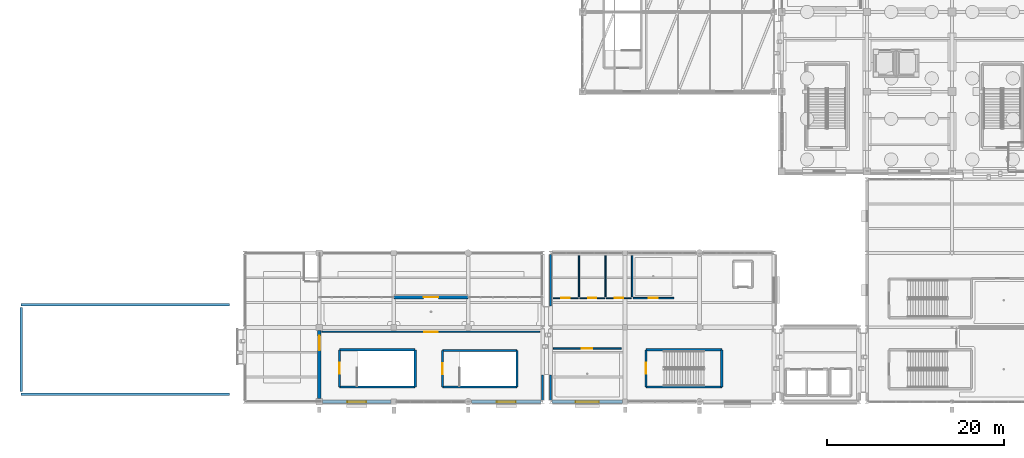
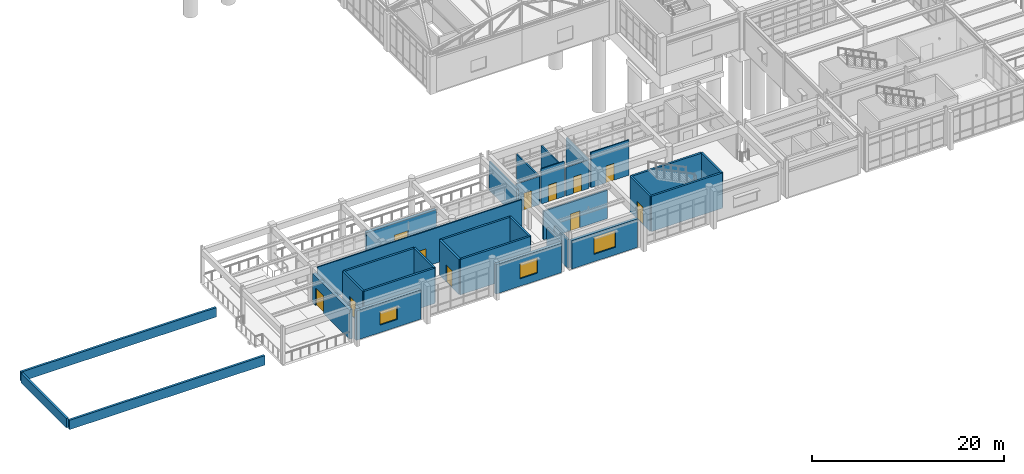
# One storey, part 110 of 139: 32 walls, 11 doors, 3 windows, 14 openings.
"""IFC4 building model written with IfcOpenShell, lengths in metres."""

from ifc_helpers import new_model, si_unit, direction, frame, frame_2d, origin, place, context, subcontext, project, spatial, rectangle, extrude, material, layer, layer_set, type_object, element, fill, save


model = new_model("IFC4")

# Units and contexts
model_context = context("Model", 3, precision=1e-05, world=origin(), true_north=direction((0.0, 1.0)))
body_context = subcontext(model_context, "Body", "Model", "MODEL_VIEW")
ifc_project = project(units=[si_unit("LENGTHUNIT", "METRE"), si_unit("AREAUNIT", "SQUARE_METRE"), si_unit("VOLUMEUNIT", "CUBIC_METRE"), si_unit("PLANEANGLEUNIT", "RADIAN"), si_unit("MASSUNIT", "GRAM", prefix="KILO")], contexts=[model_context])

# Site, building, storey
site_placement = place(None, origin())
site = spatial("IfcSite", under=ifc_project, at=site_placement, CompositionType="ELEMENT")
building_placement = place(site_placement, origin())
building = spatial("IfcBuilding", under=site, at=building_placement, Name="Canglan Escarpment Cableway Terminal", CompositionType="ELEMENT")
storey_placement = place(building_placement, frame((0.0, 0.0, 14.39990234375)))
storey = spatial("IfcBuildingStorey", under=building, at=storey_placement, Name="L03", CompositionType="ELEMENT", Elevation=14.39990234375)

# Walls
ifc_material_1 = material(Name="Concrete C40", Category="concrete")
ifc_layer_1 = layer(ifc_material_1, 0.239990234375, Name="Concrete C40")
ifc_layer_set_1 = layer_set([ifc_layer_1], Name="Concrete C40")
wall_type_1 = type_object("IfcWallType", Name="WL-CORE-SHEAR-240", PredefinedType="SHEAR", material=ifc_layer_set_1)
wall_1_placement = place(storey_placement, frame((87.679931640625, 9.679931640625, 0.0), z_axis=(0.0, 0.0, 1.0), x_axis=(1.0, 0.0, 0.0)))
element("IfcWall", 1, at=wall_1_placement, inside=storey, type_object=wall_type_1, Name="Protected stair core wall ST-06 (L03)", PredefinedType="SHEAR", context=body_context, shape_type="SweptSolid", body=[
    extrude(rectangle(XDim=8.5400390625, YDim=0.239990234375, at=frame_2d((4.27001953125, 0.0))), origin(), (0.0, 0.0, 1.0), 4.5),
])
wall_2_placement = place(storey_placement, frame((96.219970703125, 9.679931640625, 0.0), z_axis=(0.0, 0.0, 1.0), x_axis=(0.0, 1.0, 0.0)))
element("IfcWall", 2, at=wall_2_placement, inside=storey, type_object=wall_type_1, Name="Protected stair core wall ST-06 (L03)", PredefinedType="SHEAR", context=body_context, shape_type="SweptSolid", body=[
    extrude(rectangle(XDim=4.190185546875, YDim=0.239990234375, at=frame_2d((2.09521484375, 0.0))), origin(), (0.0, 0.0, 1.0), 4.5),
])
wall_3_placement = place(storey_placement, frame((96.219970703125, 13.8701171875, 0.0), z_axis=(0.0, 0.0, 1.0), x_axis=(-1.0, 0.0, 0.0)))
element("IfcWall", 3, at=wall_3_placement, inside=storey, type_object=wall_type_1, Name="Protected stair core wall ST-06 (L03)", PredefinedType="SHEAR", context=body_context, shape_type="SweptSolid", body=[
    extrude(rectangle(XDim=8.5400390625, YDim=0.239990234375, at=frame_2d((4.27001953125, 0.0))), origin(), (0.0, 0.0, 1.0), 4.5),
])

# Wall, opening, door
wall_4_placement = place(storey_placement, frame((87.679931640625, 13.8701171875, 0.0), z_axis=(0.0, 0.0, 1.0), x_axis=(0.0, -1.0, 0.0)))
wall_4 = element("IfcWall", 4, at=wall_4_placement, inside=storey, type_object=wall_type_1, Name="Protected stair core wall ST-06 (L03)", PredefinedType="SHEAR", context=body_context, shape_type="SweptSolid", body=[
    extrude(rectangle(XDim=4.190185546875, YDim=0.239990234375, at=frame_2d((2.09521484375, 0.0))), origin(), (0.0, 0.0, 1.0), 4.5),
])
opening_1_placement = place(wall_4_placement, frame((1.469970703125, 0.0, 0.0)))
opening_1 = element("IfcOpeningElement", 5, at=opening_1_placement, cuts=wall_4, Name="Opening SD-D1", PredefinedType="OPENING", context=body_context, shape_type="SweptSolid", body=[
    extrude(rectangle(XDim=1.25, YDim=2.199951171875, at=frame_2d((0.625, 1.10009765625))), frame((0.0, 0.1298828125, 0.0), z_axis=(0.0, -1.0, 0.0), x_axis=(1.0, 0.0, 0.0)), (0.0, 0.0, 1.0), 0.260009765625),
])
ifc_material_2 = material(Name="Steel fire-resisting stair door", Category="steel")
door_type_1 = type_object("IfcDoorType", Name="DR-STAIR-EI90-1250", OperationType="NOTDEFINED", PredefinedType="DOOR", material=ifc_material_2)
door_1_placement = place(opening_1_placement, origin())
door_1 = element("IfcDoor", 6, at=door_1_placement, inside=storey, type_object=door_type_1, Name="Protected exit stair fire door ST-06 (L03)", OperationType="SINGLE_SWING_RIGHT", OverallHeight=2.199951171875, OverallWidth=1.25, PredefinedType="DOOR", context=body_context, shape_type="SweptSolid", body=[
    extrude(rectangle(XDim=1.25, YDim=2.199951171875, at=frame_2d((0.625, 1.10009765625))), frame((0.0, 0.02490234375, 0.0), z_axis=(0.0, -1.0, 0.0), x_axis=(1.0, 0.0, 0.0)), (0.0, 0.0, 1.0), 0.050048828125),
])
fill(opening_1, door_1)

# Walls
wall_5_placement = place(storey_placement, frame((99.280029296875, 9.679931640625, 0.0), z_axis=(0.0, 0.0, 1.0), x_axis=(1.0, 0.0, 0.0)))
element("IfcWall", 7, at=wall_5_placement, inside=storey, type_object=wall_type_1, Name="Protected stair core wall ST-14 (L03)", PredefinedType="SHEAR", context=body_context, shape_type="SweptSolid", body=[
    extrude(rectangle(XDim=8.43994140625, YDim=0.239990234375, at=frame_2d((4.219970703125, 0.0))), origin(), (0.0, 0.0, 1.0), 4.5),
])
wall_6_placement = place(storey_placement, frame((107.719970703125, 9.679931640625, 0.0), z_axis=(0.0, 0.0, 1.0), x_axis=(0.0, 1.0, 0.0)))
element("IfcWall", 8, at=wall_6_placement, inside=storey, type_object=wall_type_1, Name="Protected stair core wall ST-14 (L03)", PredefinedType="SHEAR", context=body_context, shape_type="SweptSolid", body=[
    extrude(rectangle(XDim=4.090087890625, YDim=0.239990234375, at=frame_2d((2.044921875, 0.0))), origin(), (0.0, 0.0, 1.0), 4.5),
])
wall_7_placement = place(storey_placement, frame((107.719970703125, 13.77001953125, 0.0), z_axis=(0.0, 0.0, 1.0), x_axis=(-1.0, 0.0, 0.0)))
element("IfcWall", 9, at=wall_7_placement, inside=storey, type_object=wall_type_1, Name="Protected stair core wall ST-14 (L03)", PredefinedType="SHEAR", context=body_context, shape_type="SweptSolid", body=[
    extrude(rectangle(XDim=8.43994140625, YDim=0.239990234375, at=frame_2d((4.219970703125, 0.0))), origin(), (0.0, 0.0, 1.0), 4.5),
])

# Wall, opening, door
wall_8_placement = place(storey_placement, frame((99.280029296875, 13.77001953125, 0.0), z_axis=(0.0, 0.0, 1.0), x_axis=(0.0, -1.0, 0.0)))
wall_8 = element("IfcWall", 10, at=wall_8_placement, inside=storey, type_object=wall_type_1, Name="Protected stair core wall ST-14 (L03)", PredefinedType="SHEAR", context=body_context, shape_type="SweptSolid", body=[
    extrude(rectangle(XDim=4.090087890625, YDim=0.239990234375, at=frame_2d((2.044921875, 0.0))), origin(), (0.0, 0.0, 1.0), 4.5),
])
opening_2_placement = place(wall_8_placement, frame((1.419921875, 0.0, 0.0)))
opening_2 = element("IfcOpeningElement", 11, at=opening_2_placement, cuts=wall_8, Name="Opening SD-D1", PredefinedType="OPENING", context=body_context, shape_type="SweptSolid", body=[
    extrude(rectangle(XDim=1.25, YDim=2.199951171875, at=frame_2d((0.625, 1.10009765625))), frame((0.0, 0.1298828125, 0.0), z_axis=(0.0, -1.0, 0.0), x_axis=(1.0, 0.0, 0.0)), (0.0, 0.0, 1.0), 0.260009765625),
])
door_2_placement = place(opening_2_placement, origin())
door_2 = element("IfcDoor", 12, at=door_2_placement, inside=storey, type_object=door_type_1, Name="Protected exit stair fire door ST-14 (L03)", OperationType="SINGLE_SWING_LEFT", OverallHeight=2.199951171875, OverallWidth=1.25, PredefinedType="DOOR", context=body_context, shape_type="SweptSolid", body=[
    extrude(rectangle(XDim=1.25, YDim=2.199951171875, at=frame_2d((0.625, 1.10009765625))), frame((0.0, 0.02490234375, 0.0), z_axis=(0.0, -1.0, 0.0), x_axis=(1.0, 0.0, 0.0)), (0.0, 0.0, 1.0), 0.050048828125),
])
fill(opening_2, door_2)

# Walls
wall_9_placement = place(storey_placement, frame((122.280029296875, 9.679931640625, 0.0), z_axis=(0.0, 0.0, 1.0), x_axis=(1.0, 0.0, 0.0)))
element("IfcWall", 13, at=wall_9_placement, inside=storey, type_object=wall_type_1, Name="Protected stair core wall ST-07 (L03)", PredefinedType="SHEAR", context=body_context, shape_type="SweptSolid", body=[
    extrude(rectangle(XDim=8.5400390625, YDim=0.239990234375, at=frame_2d((4.27001953125, 0.0))), origin(), (0.0, 0.0, 1.0), 4.5),
])
wall_10_placement = place(storey_placement, frame((130.820068359375, 9.679931640625, 0.0), z_axis=(0.0, 0.0, 1.0), x_axis=(0.0, 1.0, 0.0)))
element("IfcWall", 14, at=wall_10_placement, inside=storey, type_object=wall_type_1, Name="Protected stair core wall ST-07 (L03)", PredefinedType="SHEAR", context=body_context, shape_type="SweptSolid", body=[
    extrude(rectangle(XDim=4.190185546875, YDim=0.239990234375, at=frame_2d((2.09521484375, 0.0))), origin(), (0.0, 0.0, 1.0), 4.5),
])
wall_11_placement = place(storey_placement, frame((130.820068359375, 13.8701171875, 0.0), z_axis=(0.0, 0.0, 1.0), x_axis=(-1.0, 0.0, 0.0)))
element("IfcWall", 15, at=wall_11_placement, inside=storey, type_object=wall_type_1, Name="Protected stair core wall ST-07 (L03)", PredefinedType="SHEAR", context=body_context, shape_type="SweptSolid", body=[
    extrude(rectangle(XDim=8.5400390625, YDim=0.239990234375, at=frame_2d((4.27001953125, 0.0))), origin(), (0.0, 0.0, 1.0), 4.5),
])

# Wall, opening, door
wall_12_placement = place(storey_placement, frame((122.280029296875, 13.8701171875, 0.0), z_axis=(0.0, 0.0, 1.0), x_axis=(0.0, -1.0, 0.0)))
wall_12 = element("IfcWall", 16, at=wall_12_placement, inside=storey, type_object=wall_type_1, Name="Protected stair core wall ST-07 (L03)", PredefinedType="SHEAR", context=body_context, shape_type="SweptSolid", body=[
    extrude(rectangle(XDim=4.190185546875, YDim=0.239990234375, at=frame_2d((2.09521484375, 0.0))), origin(), (0.0, 0.0, 1.0), 4.5),
])
opening_3_placement = place(wall_12_placement, frame((1.469970703125, 0.0, 0.0)))
opening_3 = element("IfcOpeningElement", 17, at=opening_3_placement, cuts=wall_12, Name="Opening SD-D1", PredefinedType="OPENING", context=body_context, shape_type="SweptSolid", body=[
    extrude(rectangle(XDim=1.25, YDim=2.199951171875, at=frame_2d((0.625, 1.10009765625))), frame((0.0, 0.1298828125, 0.0), z_axis=(0.0, -1.0, 0.0), x_axis=(1.0, 0.0, 0.0)), (0.0, 0.0, 1.0), 0.260009765625),
])
door_3_placement = place(opening_3_placement, origin())
door_3 = element("IfcDoor", 18, at=door_3_placement, inside=storey, type_object=door_type_1, Name="Protected exit stair fire door ST-07 (L03)", OperationType="SINGLE_SWING_RIGHT", OverallHeight=2.199951171875, OverallWidth=1.25, PredefinedType="DOOR", context=body_context, shape_type="SweptSolid", body=[
    extrude(rectangle(XDim=1.25, YDim=2.199951171875, at=frame_2d((0.625, 1.10009765625))), frame((0.0, 0.02490234375, 0.0), z_axis=(0.0, -1.0, 0.0), x_axis=(1.0, 0.0, 0.0)), (0.0, 0.0, 1.0), 0.050048828125),
])
fill(opening_3, door_3)

# Walls
ifc_material_3 = material(Name="Insulated stone-faced spandrel wall", Category="masonry")
ifc_layer_2 = layer(ifc_material_3, 0.22998046875, Name="Insulated stone-faced spandrel wall")
ifc_layer_set_2 = layer_set([ifc_layer_2], Name="Insulated stone-faced spandrel wall")
wall_type_2 = type_object("IfcWallType", Name="WL-EXT-LINK-230", PredefinedType="STANDARD", material=ifc_layer_set_2)
wall_13_placement = place(storey_placement, frame((110.60009765625, 8.175048828125, 0.0), z_axis=(0.0, 0.0, 1.0), x_axis=(0.0, 1.0, 0.0)))
element("IfcWall", 19, at=wall_13_placement, inside=storey, type_object=wall_type_2, Name="Classical stone-faced exterior wall EW-FB3-L03-E-01-FL1", PredefinedType="STANDARD", context=body_context, shape_type="SweptSolid", body=[
    extrude(rectangle(XDim=2.824951171875, YDim=0.22998046875, at=frame_2d((1.41259765625, 0.0))), origin(), (0.0, 0.0, 1.0), 3.735107421875),
])
wall_14_placement = place(storey_placement, frame((111.5, 8.175048828125, 0.0), z_axis=(0.0, 0.0, 1.0), x_axis=(0.0, 1.0, 0.0)))
element("IfcWall", 20, at=wall_14_placement, inside=storey, type_object=wall_type_2, Name="Classical stone-faced exterior wall EW-FB4-L03-W-01-FL1", PredefinedType="STANDARD", context=body_context, shape_type="SweptSolid", body=[
    extrude(rectangle(XDim=2.824951171875, YDim=0.22998046875, at=frame_2d((1.41259765625, 0.0))), origin(), (0.0, 0.0, 1.0), 3.614990234375),
])
wall_15_placement = place(storey_placement, frame((111.5, 18.800048828125, 0.0), z_axis=(0.0, 0.0, 1.0), x_axis=(0.0, 1.0, 0.0)))
element("IfcWall", 21, at=wall_15_placement, inside=storey, type_object=wall_type_2, Name="Classical stone-faced exterior wall EW-FB4-L03-W-02-FL2", PredefinedType="STANDARD", context=body_context, shape_type="SweptSolid", body=[
    extrude(rectangle(XDim=5.824951171875, YDim=0.22998046875, at=frame_2d((2.91259765625, 0.0))), origin(), (0.0, 0.0, 1.0), 3.614990234375),
])

# Wall, opening, window
ifc_material_4 = material(Name="Rusticated limestone masonry on Concrete C40", Category="masonry")
ifc_layer_3 = layer(ifc_material_4, 0.360107421875, Name="Rusticated limestone masonry on Concrete C40")
ifc_layer_set_3 = layer_set([ifc_layer_3], Name="Rusticated limestone masonry on Concrete C40")
wall_type_3 = type_object("IfcWallType", Name="WL-EXT-RUST-360", PredefinedType="STANDARD", material=ifc_layer_set_3)
wall_16_placement = place(storey_placement, frame((85.75, 8.0, 0.0), z_axis=(0.0, 0.0, 1.0), x_axis=(1.0, 0.0, 0.0)))
wall_16 = element("IfcWall", 22, at=wall_16_placement, inside=storey, type_object=wall_type_3, Name="Classical stone-faced exterior wall EW-FB3-L03-S-01", PredefinedType="STANDARD", context=body_context, shape_type="SweptSolid", body=[
    extrude(rectangle(XDim=7.75, YDim=0.360107421875, at=frame_2d((3.875, 0.0))), origin(), (0.0, 0.0, 1.0), 3.735107421875),
])
opening_4_placement = place(wall_16_placement, frame((2.824951171875, 0.0, 0.949951171875)))
opening_4 = element("IfcOpeningElement", 23, at=opening_4_placement, cuts=wall_16, Name="Opening W-18", PredefinedType="OPENING", context=body_context, shape_type="SweptSolid", body=[
    extrude(rectangle(XDim=2.10009765625, YDim=1.699951171875, at=frame_2d((1.050048828125, 0.85009765625))), frame((0.0, 0.18994140625, 0.0), z_axis=(0.0, -1.0, 0.0), x_axis=(1.0, 0.0, 0.0)), (0.0, 0.0, 1.0), 0.380126953125),
])
ifc_material_5 = material(Name="Anodized bronze aluminium and Low-E double glazing", Category="aluminium")
window_type_1 = type_object("IfcWindowType", Name="WIN-EXT-18", PartitioningType="DOUBLE_PANEL_VERTICAL", PredefinedType="WINDOW", material=ifc_material_5)
window_1_placement = place(opening_4_placement, origin())
window_1 = element("IfcWindow", 24, at=window_1_placement, inside=storey, type_object=window_type_1, Name="Classical module window W-18", OverallHeight=1.699951171875, OverallWidth=2.10009765625, PartitioningType="SINGLE_PANEL", PredefinedType="WINDOW", context=body_context, shape_type="SweptSolid", body=[
    extrude(rectangle(XDim=2.10009765625, YDim=1.699951171875, at=frame_2d((1.050048828125, 0.85009765625))), frame((0.0, 0.030029296875, 0.0), z_axis=(0.0, -1.0, 0.0), x_axis=(1.0, 0.0, 0.0)), (0.0, 0.0, 1.0), 0.06005859375),
])
fill(opening_4, window_1)

wall_17_placement = place(storey_placement, frame((102.574951171875, 8.0, 0.0), z_axis=(0.0, 0.0, 1.0), x_axis=(1.0, 0.0, 0.0)))
wall_17 = element("IfcWall", 25, at=wall_17_placement, inside=storey, type_object=wall_type_3, Name="Classical stone-faced exterior wall EW-FB3-L03-S-03", PredefinedType="STANDARD", context=body_context, shape_type="SweptSolid", body=[
    extrude(rectangle(XDim=7.85009765625, YDim=0.360107421875, at=frame_2d((3.925048828125, 0.0))), origin(), (0.0, 0.0, 1.0), 3.735107421875),
])
opening_5_placement = place(wall_17_placement, frame((2.875, 0.0, 0.949951171875)))
opening_5 = element("IfcOpeningElement", 26, at=opening_5_placement, cuts=wall_17, Name="Opening W-19", PredefinedType="OPENING", context=body_context, shape_type="SweptSolid", body=[
    extrude(rectangle(XDim=2.10009765625, YDim=1.949951171875, at=frame_2d((1.050048828125, 0.97509765625))), frame((0.0, 0.18994140625, 0.0), z_axis=(0.0, -1.0, 0.0), x_axis=(1.0, 0.0, 0.0)), (0.0, 0.0, 1.0), 0.380126953125),
])
window_type_2 = type_object("IfcWindowType", Name="WIN-EXT-19", PartitioningType="DOUBLE_PANEL_VERTICAL", PredefinedType="WINDOW", material=ifc_material_5)
window_2_placement = place(opening_5_placement, origin())
window_2 = element("IfcWindow", 27, at=window_2_placement, inside=storey, type_object=window_type_2, Name="Classical module window W-19", OverallHeight=1.949951171875, OverallWidth=2.10009765625, PartitioningType="SINGLE_PANEL", PredefinedType="WINDOW", context=body_context, shape_type="SweptSolid", body=[
    extrude(rectangle(XDim=2.10009765625, YDim=1.949951171875, at=frame_2d((1.050048828125, 0.97509765625))), frame((0.0, 0.030029296875, 0.0), z_axis=(0.0, -1.0, 0.0), x_axis=(1.0, 0.0, 0.0)), (0.0, 0.0, 1.0), 0.06005859375),
])
fill(opening_5, window_2)

# Wall, opening, door
wall_18_placement = place(storey_placement, frame((102.199951171875, 19.800048828125, 0.0), z_axis=(0.0, 0.0, 1.0), x_axis=(-1.0, 0.0, 0.0)))
wall_18 = element("IfcWall", 28, at=wall_18_placement, inside=storey, type_object=wall_type_3, Name="Classical stone-faced exterior wall EW-FB3-L03-N-02", PredefinedType="STANDARD", context=body_context, shape_type="SweptSolid", body=[
    extrude(rectangle(XDim=8.39990234375, YDim=0.360107421875, at=frame_2d((4.199951171875, 0.0))), origin(), (0.0, 0.0, 1.0), 3.735107421875),
])
opening_6_placement = place(wall_18_placement, frame((3.375, 0.0, 0.0)))
opening_6 = element("IfcOpeningElement", 29, at=opening_6_placement, cuts=wall_18, Name="Opening ED-03", PredefinedType="OPENING", context=body_context, shape_type="SweptSolid", body=[
    extrude(rectangle(XDim=1.64990234375, YDim=2.25, at=frame_2d((0.824951171875, 1.125))), frame((0.0, 0.18994140625, 0.0), z_axis=(0.0, -1.0, 0.0), x_axis=(1.0, 0.0, 0.0)), (0.0, 0.0, 1.0), 0.380126953125),
])
ifc_material_6 = material(Name="Anodized bronze aluminium and tempered safety glass", Category="aluminium")
door_type_2 = type_object("IfcDoorType", Name="DR-EXT-TERR-1650", OperationType="NOTDEFINED", PredefinedType="DOOR", material=ifc_material_6)
door_4_placement = place(opening_6_placement, origin())
door_4 = element("IfcDoor", 30, at=door_4_placement, inside=storey, type_object=door_type_2, Name="Terrace access glazed door ED-03", OperationType="DOUBLE_DOOR_SINGLE_SWING", OverallHeight=2.25, OverallWidth=1.64990234375, PredefinedType="DOOR", context=body_context, shape_type="SweptSolid", body=[
    extrude(rectangle(XDim=1.64990234375, YDim=2.25, at=frame_2d((0.824951171875, 1.125))), frame((0.0, 0.02490234375, 0.0), z_axis=(0.0, -1.0, 0.0), x_axis=(1.0, 0.0, 0.0)), (0.0, 0.0, 1.0), 0.050048828125),
])
fill(opening_6, door_4)

wall_19_placement = place(storey_placement, frame((85.39990234375, 16.050048828125, 0.0), z_axis=(0.0, 0.0, 1.0), x_axis=(0.0, -1.0, 0.0)))
wall_19 = element("IfcWall", 31, at=wall_19_placement, inside=storey, type_object=wall_type_3, Name="Classical stone-faced exterior wall EW-FB3-L03-W-01", PredefinedType="STANDARD", context=body_context, shape_type="SweptSolid", body=[
    extrude(rectangle(XDim=7.699951171875, YDim=0.360107421875, at=frame_2d((3.85009765625, 0.0))), origin(), (0.0, 0.0, 1.0), 3.735107421875),
])
opening_7_placement = place(wall_19_placement, frame((0.60009765625, 0.0, 0.0)))
opening_7 = element("IfcOpeningElement", 32, at=opening_7_placement, cuts=wall_19, Name="Opening ED-03", PredefinedType="OPENING", context=body_context, shape_type="SweptSolid", body=[
    extrude(rectangle(XDim=1.64990234375, YDim=2.25, at=frame_2d((0.824951171875, 1.125))), frame((0.0, 0.18994140625, 0.0), z_axis=(0.0, -1.0, 0.0), x_axis=(1.0, 0.0, 0.0)), (0.0, 0.0, 1.0), 0.380126953125),
])
door_5_placement = place(opening_7_placement, origin())
door_5 = element("IfcDoor", 33, at=door_5_placement, inside=storey, type_object=door_type_2, Name="Terrace access glazed door ED-03", OperationType="DOUBLE_DOOR_SINGLE_SWING", OverallHeight=2.25, OverallWidth=1.64990234375, PredefinedType="DOOR", context=body_context, shape_type="SweptSolid", body=[
    extrude(rectangle(XDim=1.64990234375, YDim=2.25, at=frame_2d((0.824951171875, 1.125))), frame((0.0, 0.02490234375, 0.0), z_axis=(0.0, -1.0, 0.0), x_axis=(1.0, 0.0, 0.0)), (0.0, 0.0, 1.0), 0.050048828125),
])
fill(opening_7, door_5)

# Wall, opening, window
wall_20_placement = place(storey_placement, frame((111.675048828125, 8.0, 0.0), z_axis=(0.0, 0.0, 1.0), x_axis=(1.0, 0.0, 0.0)))
wall_20 = element("IfcWall", 34, at=wall_20_placement, inside=storey, type_object=wall_type_3, Name="Classical stone-faced exterior wall EW-FB4-L03-S-01", PredefinedType="STANDARD", context=body_context, shape_type="SweptSolid", body=[
    extrude(rectangle(XDim=7.925048828125, YDim=0.360107421875, at=frame_2d((3.96240234375, 0.0))), origin(), (0.0, 0.0, 1.0), 3.614990234375),
])
opening_8_placement = place(wall_20_placement, frame((2.66259765625, 0.0, 0.949951171875)))
opening_8 = element("IfcOpeningElement", 35, at=opening_8_placement, cuts=wall_20, Name="Opening W-28", PredefinedType="OPENING", context=body_context, shape_type="SweptSolid", body=[
    extrude(rectangle(XDim=2.60009765625, YDim=2.14990234375, at=frame_2d((1.300048828125, 1.074951171875))), frame((0.0, 0.18994140625, 0.0), z_axis=(0.0, -1.0, 0.0), x_axis=(1.0, 0.0, 0.0)), (0.0, 0.0, 1.0), 0.380126953125),
])
window_type_3 = type_object("IfcWindowType", Name="WIN-EXT-28", PartitioningType="DOUBLE_PANEL_VERTICAL", PredefinedType="WINDOW", material=ifc_material_5)
window_3_placement = place(opening_8_placement, origin())
window_3 = element("IfcWindow", 36, at=window_3_placement, inside=storey, type_object=window_type_3, Name="Classical module window W-28", OverallHeight=2.14990234375, OverallWidth=2.60009765625, PartitioningType="SINGLE_PANEL", PredefinedType="WINDOW", context=body_context, shape_type="SweptSolid", body=[
    extrude(rectangle(XDim=2.60009765625, YDim=2.14990234375, at=frame_2d((1.300048828125, 1.074951171875))), frame((0.0, 0.030029296875, 0.0), z_axis=(0.0, -1.0, 0.0), x_axis=(1.0, 0.0, 0.0)), (0.0, 0.0, 1.0), 0.06005859375),
])
fill(opening_8, window_3)

# Wall, opening, door
ifc_material_7 = material(Name="Autoclaved aerated concrete blockwork", Category="masonry")
ifc_layer_4 = layer(ifc_material_7, 0.179931640625, Name="Autoclaved aerated concrete blockwork")
ifc_layer_set_4 = layer_set([ifc_layer_4], Name="Autoclaved aerated concrete blockwork")
wall_type_4 = type_object("IfcWallType", Name="WL-INT-FIRE-180-EI60", PredefinedType="PARTITIONING", material=ifc_layer_set_4)
wall_21_placement = place(storey_placement, frame((111.800048828125, 14.0, 0.0), z_axis=(0.0, 0.0, 1.0), x_axis=(1.0, 0.0, 0.0)))
wall_21 = element("IfcWall", 37, at=wall_21_placement, inside=storey, type_object=wall_type_4, Name="Interior partition wall IW-L03-10-MAIN", PredefinedType="PARTITIONING", context=body_context, shape_type="SweptSolid", body=[
    extrude(rectangle(XDim=7.699951171875, YDim=0.179931640625, at=frame_2d((3.85009765625, 0.0))), origin(), (0.0, 0.0, 1.0), 3.614990234375),
])
opening_9_placement = place(wall_21_placement, frame((3.22509765625, 0.0, 0.0)))
opening_9 = element("IfcOpeningElement", 38, at=opening_9_placement, cuts=wall_21, Name="Opening ID-07", PredefinedType="OPENING", context=body_context, shape_type="SweptSolid", body=[
    extrude(rectangle(XDim=1.14990234375, YDim=2.14990234375, at=frame_2d((0.574951171875, 1.074951171875))), frame((0.0, 0.10009765625, 0.0), z_axis=(0.0, -1.0, 0.0), x_axis=(1.0, 0.0, 0.0)), (0.0, 0.0, 1.0), 0.199951171875),
])
ifc_material_8 = material(Name="Stained oak and safety glass door", Category="glass")
door_type_3 = type_object("IfcDoorType", Name="DR-INT-ID-07", OperationType="NOTDEFINED", PredefinedType="DOOR", material=ifc_material_8)
door_6_placement = place(opening_9_placement, origin())
door_6 = element("IfcDoor", 39, at=door_6_placement, inside=storey, type_object=door_type_3, Name="Weather Radar Monitoring Room door ID-07", OperationType="SINGLE_SWING_LEFT", OverallHeight=2.14990234375, OverallWidth=1.14990234375, PredefinedType="DOOR", context=body_context, shape_type="SweptSolid", body=[
    extrude(rectangle(XDim=1.14990234375, YDim=2.14990234375, at=frame_2d((0.574951171875, 1.074951171875))), frame((0.0, 0.02490234375, 0.0), z_axis=(0.0, -1.0, 0.0), x_axis=(1.0, 0.0, 0.0)), (0.0, 0.0, 1.0), 0.050048828125),
])
fill(opening_9, door_6)

ifc_material_9 = material(Name="Moisture-resistant tile-faced partition", Category="gypsum")
ifc_layer_5 = layer(ifc_material_9, 0.1201171875, Name="Moisture-resistant tile-faced partition")
ifc_layer_set_5 = layer_set([ifc_layer_5], Name="Moisture-resistant tile-faced partition")
wall_type_5 = type_object("IfcWallType", Name="WL-INT-PART-120", PredefinedType="PARTITIONING", material=ifc_layer_set_5)
wall_22_placement = place(storey_placement, frame((111.800048828125, 19.699951171875, 0.0), z_axis=(0.0, 0.0, 1.0), x_axis=(1.0, 0.0, 0.0)))
wall_22 = element("IfcWall", 40, at=wall_22_placement, inside=storey, type_object=wall_type_5, Name="Interior partition wall IW-L03-06-MAIN", PredefinedType="PARTITIONING", context=body_context, shape_type="SweptSolid", body=[
    extrude(rectangle(XDim=2.800048828125, YDim=0.1201171875, at=frame_2d((1.39990234375, 0.0))), origin(), (0.0, 0.0, 1.0), 3.614990234375),
])
opening_10_placement = place(wall_22_placement, frame((0.925048828125, 0.0, 0.0)))
opening_10 = element("IfcOpeningElement", 41, at=opening_10_placement, cuts=wall_22, Name="Opening ID-01", PredefinedType="OPENING", context=body_context, shape_type="SweptSolid", body=[
    extrude(rectangle(XDim=0.949951171875, YDim=2.1201171875, at=frame_2d((0.47509765625, 1.06005859375))), frame((0.0, 0.070068359375, 0.0), z_axis=(0.0, -1.0, 0.0), x_axis=(1.0, 0.0, 0.0)), (0.0, 0.0, 1.0), 0.14013671875),
])
door_type_4 = type_object("IfcDoorType", Name="DR-INT-ID-01", OperationType="NOTDEFINED", PredefinedType="DOOR", material=ifc_material_8)
door_7_placement = place(opening_10_placement, origin())
door_7 = element("IfcDoor", 42, at=door_7_placement, inside=storey, type_object=door_type_4, Name="Accessible WC door ID-01", OperationType="SINGLE_SWING_LEFT", OverallHeight=2.1201171875, OverallWidth=0.949951171875, PredefinedType="DOOR", context=body_context, shape_type="SweptSolid", body=[
    extrude(rectangle(XDim=0.949951171875, YDim=2.1201171875, at=frame_2d((0.47509765625, 1.06005859375))), frame((0.0, 0.02490234375, 0.0), z_axis=(0.0, -1.0, 0.0), x_axis=(1.0, 0.0, 0.0)), (0.0, 0.0, 1.0), 0.050048828125),
])
fill(opening_10, door_7)

wall_23_placement = place(storey_placement, frame((114.800048828125, 19.699951171875, 0.0), z_axis=(0.0, 0.0, 1.0), x_axis=(1.0, 0.0, 0.0)))
wall_23 = element("IfcWall", 43, at=wall_23_placement, inside=storey, type_object=wall_type_5, Name="Interior partition wall IW-L03-07-MAIN", PredefinedType="PARTITIONING", context=body_context, shape_type="SweptSolid", body=[
    extrude(rectangle(XDim=2.800048828125, YDim=0.1201171875, at=frame_2d((1.39990234375, 0.0))), origin(), (0.0, 0.0, 1.0), 4.485107421875),
])
opening_11_placement = place(wall_23_placement, frame((0.925048828125, 0.0, 0.0)))
opening_11 = element("IfcOpeningElement", 44, at=opening_11_placement, cuts=wall_23, Name="Opening ID-01", PredefinedType="OPENING", context=body_context, shape_type="SweptSolid", body=[
    extrude(rectangle(XDim=0.949951171875, YDim=2.1201171875, at=frame_2d((0.47509765625, 1.06005859375))), frame((0.0, 0.070068359375, 0.0), z_axis=(0.0, -1.0, 0.0), x_axis=(1.0, 0.0, 0.0)), (0.0, 0.0, 1.0), 0.14013671875),
])
door_8_placement = place(opening_11_placement, origin())
door_8 = element("IfcDoor", 45, at=door_8_placement, inside=storey, type_object=door_type_4, Name="Male WC door ID-01", OperationType="SINGLE_SWING_RIGHT", OverallHeight=2.1201171875, OverallWidth=0.949951171875, PredefinedType="DOOR", context=body_context, shape_type="SweptSolid", body=[
    extrude(rectangle(XDim=0.949951171875, YDim=2.1201171875, at=frame_2d((0.47509765625, 1.06005859375))), frame((0.0, 0.02490234375, 0.0), z_axis=(0.0, -1.0, 0.0), x_axis=(1.0, 0.0, 0.0)), (0.0, 0.0, 1.0), 0.050048828125),
])
fill(opening_11, door_8)

wall_24_placement = place(storey_placement, frame((117.800048828125, 19.699951171875, 0.0), z_axis=(0.0, 0.0, 1.0), x_axis=(1.0, 0.0, 0.0)))
wall_24 = element("IfcWall", 46, at=wall_24_placement, inside=storey, type_object=wall_type_5, Name="Interior partition wall IW-L03-08-MAIN", PredefinedType="PARTITIONING", context=body_context, shape_type="SweptSolid", body=[
    extrude(rectangle(XDim=2.800048828125, YDim=0.1201171875, at=frame_2d((1.39990234375, 0.0))), origin(), (0.0, 0.0, 1.0), 3.614990234375),
])
opening_12_placement = place(wall_24_placement, frame((0.925048828125, 0.0, 0.0)))
opening_12 = element("IfcOpeningElement", 47, at=opening_12_placement, cuts=wall_24, Name="Opening ID-01", PredefinedType="OPENING", context=body_context, shape_type="SweptSolid", body=[
    extrude(rectangle(XDim=0.949951171875, YDim=2.1201171875, at=frame_2d((0.47509765625, 1.06005859375))), frame((0.0, 0.070068359375, 0.0), z_axis=(0.0, -1.0, 0.0), x_axis=(1.0, 0.0, 0.0)), (0.0, 0.0, 1.0), 0.14013671875),
])
door_9_placement = place(opening_12_placement, origin())
door_9 = element("IfcDoor", 48, at=door_9_placement, inside=storey, type_object=door_type_4, Name="Female WC door ID-01", OperationType="SINGLE_SWING_LEFT", OverallHeight=2.1201171875, OverallWidth=0.949951171875, PredefinedType="DOOR", context=body_context, shape_type="SweptSolid", body=[
    extrude(rectangle(XDim=0.949951171875, YDim=2.1201171875, at=frame_2d((0.47509765625, 1.06005859375))), frame((0.0, 0.02490234375, 0.0), z_axis=(0.0, -1.0, 0.0), x_axis=(1.0, 0.0, 0.0)), (0.0, 0.0, 1.0), 0.050048828125),
])
fill(opening_12, door_9)

ifc_material_10 = material(Name="Acoustic double-stud gypsum partition", Category="gypsum")
ifc_layer_6 = layer(ifc_material_10, 0.14990234375, Name="Acoustic double-stud gypsum partition")
ifc_layer_set_6 = layer_set([ifc_layer_6], Name="Acoustic double-stud gypsum partition")
wall_type_6 = type_object("IfcWallType", Name="WL-INT-PART-150", PredefinedType="PARTITIONING", material=ifc_layer_set_6)
wall_25_placement = place(storey_placement, frame((85.699951171875, 15.89990234375, 0.0), z_axis=(0.0, 0.0, 1.0), x_axis=(1.0, 0.0, 0.0)))
wall_25 = element("IfcWall", 49, at=wall_25_placement, inside=storey, type_object=wall_type_6, Name="Interior partition wall IW-L03-05-MAIN", PredefinedType="PARTITIONING", context=body_context, shape_type="SweptSolid", body=[
    extrude(rectangle(XDim=24.60009765625, YDim=0.14990234375, at=frame_2d((12.300048828125, 0.0))), origin(), (0.0, 0.0, 1.0), 4.485107421875),
])
opening_13_placement = place(wall_25_placement, frame((11.550048828125, 0.0, 0.0)))
opening_13 = element("IfcOpeningElement", 50, at=opening_13_placement, cuts=wall_25, Name="Opening ID-21", PredefinedType="OPENING", context=body_context, shape_type="SweptSolid", body=[
    extrude(rectangle(XDim=1.5, YDim=2.239990234375, at=frame_2d((0.75, 1.1201171875))), frame((0.0, 0.0849609375, 0.0), z_axis=(0.0, -1.0, 0.0), x_axis=(1.0, 0.0, 0.0)), (0.0, 0.0, 1.0), 0.169921875),
])
door_type_5 = type_object("IfcDoorType", Name="DR-INT-ID-21", OperationType="NOTDEFINED", PredefinedType="DOOR", material=ifc_material_8)
door_10_placement = place(opening_13_placement, origin())
door_10 = element("IfcDoor", 51, at=door_10_placement, inside=storey, type_object=door_type_5, Name="Highland Photography Gallery door ID-21", OperationType="DOUBLE_DOOR_SINGLE_SWING", OverallHeight=2.239990234375, OverallWidth=1.5, PredefinedType="DOOR", context=body_context, shape_type="SweptSolid", body=[
    extrude(rectangle(XDim=1.5, YDim=2.239990234375, at=frame_2d((0.75, 1.1201171875))), frame((0.0, 0.02490234375, 0.0), z_axis=(0.0, -1.0, 0.0), x_axis=(1.0, 0.0, 0.0)), (0.0, 0.0, 1.0), 0.050048828125),
])
fill(opening_13, door_10)

# Walls
for number, where, z_axis, x_axis, name in (
    (52, (114.699951171875, 19.85009765625, 0.0), (0.0, 0.0, 1.0), (0.0, 1.0, 0.0), "Interior partition wall IW-L03-07-SIDE"),
    (53, (117.699951171875, 19.85009765625, 0.0), (0.0, 0.0, 1.0), (0.0, 1.0, 0.0), "Interior partition wall IW-L03-08-SIDE"),
):
    element("IfcWall", number, at=place(storey_placement, frame(where, z_axis=z_axis, x_axis=x_axis)), inside=storey, type_object=wall_type_6, Name=name, PredefinedType="PARTITIONING", context=body_context, shape_type="SweptSolid", body=[
        extrude(rectangle(XDim=4.64990234375, YDim=0.14990234375, at=frame_2d((2.324951171875, 0.0))), origin(), (0.0, 0.0, 1.0), 3.51513671875),
    ])

# Wall, opening, door
wall_26_placement = place(storey_placement, frame((120.800048828125, 19.699951171875, 0.0), z_axis=(0.0, 0.0, 1.0), x_axis=(1.0, 0.0, 0.0)))
wall_26 = element("IfcWall", 54, at=wall_26_placement, inside=storey, type_object=wall_type_6, Name="Interior partition wall IW-L03-09-MAIN", PredefinedType="PARTITIONING", context=body_context, shape_type="SweptSolid", body=[
    extrude(rectangle(XDim=4.599853515625, YDim=0.14990234375, at=frame_2d((2.2998046875, 0.0))), origin(), (0.0, 0.0, 1.0), 4.485107421875),
])
opening_14_placement = place(wall_26_placement, frame((1.800048828125, 0.0, 0.0)))
opening_14 = element("IfcOpeningElement", 55, at=opening_14_placement, cuts=wall_26, Name="Opening ID-02", PredefinedType="OPENING", context=body_context, shape_type="SweptSolid", body=[
    extrude(rectangle(XDim=1.0, YDim=2.139892578125, at=frame_2d((0.5, 1.06982421875))), frame((0.0, 0.0849609375, 0.0), z_axis=(0.0, -1.0, 0.0), x_axis=(1.0, 0.0, 0.0)), (0.0, 0.0, 1.0), 0.169921875),
])
door_type_6 = type_object("IfcDoorType", Name="DR-INT-ID-02", OperationType="NOTDEFINED", PredefinedType="DOOR", material=ifc_material_8)
door_11_placement = place(opening_14_placement, origin())
door_11 = element("IfcDoor", 56, at=door_11_placement, inside=storey, type_object=door_type_6, Name="Maternal Care Room door ID-02", OperationType="SINGLE_SWING_RIGHT", OverallHeight=2.139892578125, OverallWidth=1.0, PredefinedType="DOOR", context=body_context, shape_type="SweptSolid", body=[
    extrude(rectangle(XDim=1.0, YDim=2.139892578125, at=frame_2d((0.5, 1.06982421875))), frame((0.0, 0.02490234375, 0.0), z_axis=(0.0, -1.0, 0.0), x_axis=(1.0, 0.0, 0.0)), (0.0, 0.0, 1.0), 0.050048828125),
])
fill(opening_14, door_11)

# Walls
wall_27_placement = place(storey_placement, frame((120.699951171875, 19.85009765625, 0.0), z_axis=(0.0, 0.0, 1.0), x_axis=(0.0, 1.0, 0.0)))
element("IfcWall", 57, at=wall_27_placement, inside=storey, type_object=wall_type_6, Name="Interior partition wall IW-L03-09-SIDE", PredefinedType="PARTITIONING", context=body_context, shape_type="SweptSolid", body=[
    extrude(rectangle(XDim=4.64990234375, YDim=0.14990234375, at=frame_2d((2.324951171875, 0.0))), origin(), (0.0, 0.0, 1.0), 3.51513671875),
])
ifc_material_11 = material(Name="Dressed limestone coping wall", Category="masonry")
ifc_layer_7 = layer(ifc_material_11, 0.260009765625, Name="Dressed limestone coping wall")
ifc_layer_set_7 = layer_set([ifc_layer_7], Name="Dressed limestone coping wall")
wall_type_7 = type_object("IfcWallType", Name="WL-PAR-STONE-260", PredefinedType="PARAPET", material=ifc_layer_set_7)
for number, where, z_axis, x_axis, name in (
    (58, (51.75, 8.85009765625, 0.0), (0.0, 0.0, 1.0), (1.0, 0.0, 0.0), "Classical stone roof parapet PW-01"),
    (59, (51.75, 18.949951171875, 0.0), (0.0, 0.0, 1.0), (1.0, 0.0, 0.0), "Classical stone roof parapet PW-01"),
):
    element("IfcWall", number, at=place(storey_placement, frame(where, z_axis=z_axis, x_axis=x_axis)), inside=storey, type_object=wall_type_7, Name=name, PredefinedType="PARAPET", context=body_context, shape_type="SweptSolid", body=[
        extrude(rectangle(XDim=23.5, YDim=0.260009765625, at=frame_2d((11.75, 0.0))), origin(), (0.0, 0.0, 1.0), 1.2001953125),
    ])
wall_28_placement = place(storey_placement, frame((51.75, 9.14990234375, 0.0), z_axis=(0.0, 0.0, 1.0), x_axis=(0.0, 1.0, 0.0)))
element("IfcWall", 60, at=wall_28_placement, inside=storey, type_object=wall_type_7, Name="Classical stone roof parapet PW-01", PredefinedType="PARAPET", context=body_context, shape_type="SweptSolid", body=[
    extrude(rectangle(XDim=9.5, YDim=0.260009765625, at=frame_2d((4.75, 0.0))), origin(), (0.0, 0.0, 1.0), 1.2001953125),
])

save(model, "model.ifc")
